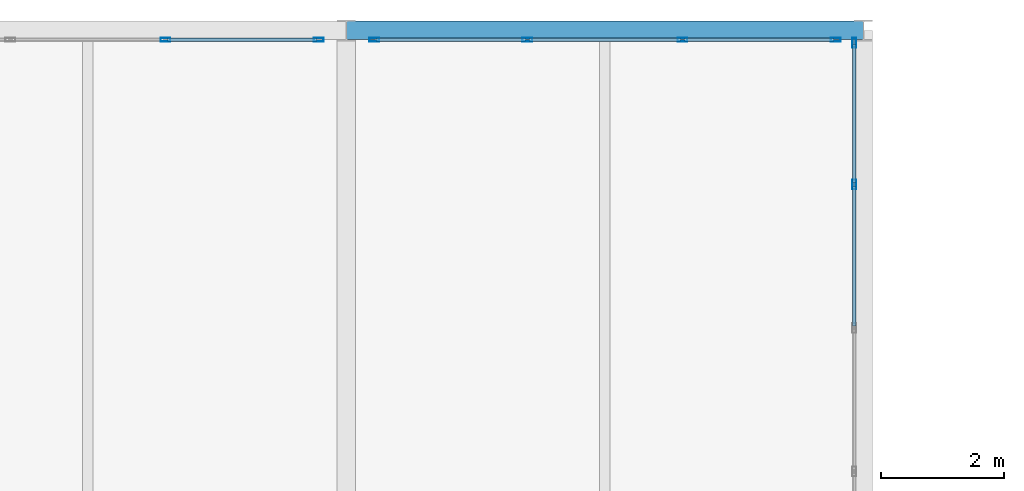
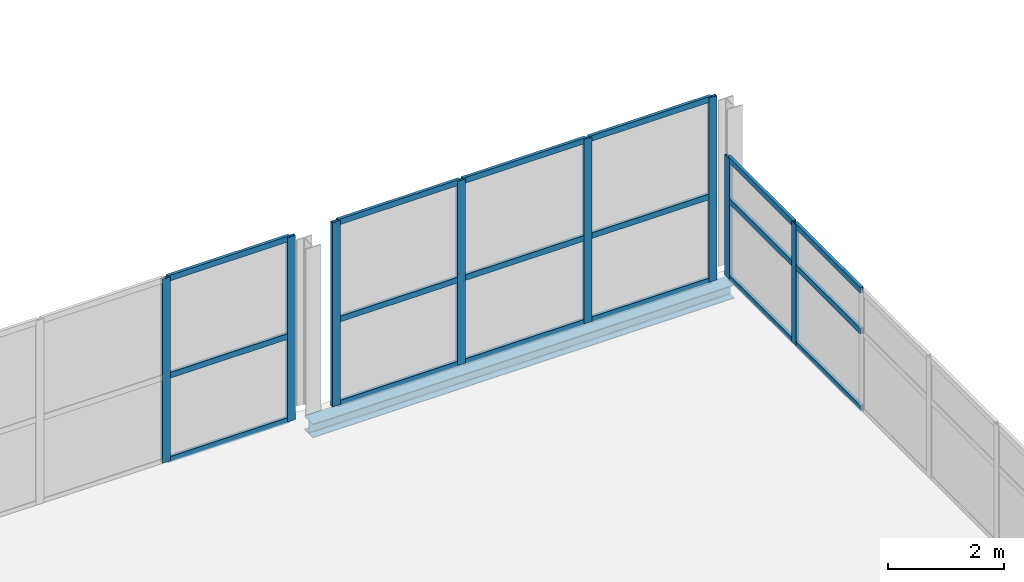
# One storey, part 68 of 103: 26 members, 1 beam, 3 elements without a shape of their own.
"""IFC4 building model written with IfcOpenShell, lengths in metres."""

from ifc_helpers import new_model, si_unit, direction, frame, origin, origin_2d, place, context, subcontext, project, spatial, hollow_rectangle, i_section, extrude, material, material_profile, profile_set, type_object, element, aggregate, save


model = new_model("IFC4")

# Units and contexts
model_context = context("Model", 3, precision=1e-05, world=origin(), true_north=direction((0.0, 1.0)))
body_context = subcontext(model_context, "Body", "Model", "MODEL_VIEW")
ifc_project = project(units=[si_unit("LENGTHUNIT", "METRE"), si_unit("AREAUNIT", "SQUARE_METRE"), si_unit("VOLUMEUNIT", "CUBIC_METRE"), si_unit("PLANEANGLEUNIT", "RADIAN"), si_unit("MASSUNIT", "GRAM", prefix="KILO")], contexts=[model_context])

# Site, building, storey
site_placement = place(None, origin())
site = spatial("IfcSite", under=ifc_project, at=site_placement, CompositionType="ELEMENT")
building_placement = place(site_placement, origin())
building = spatial("IfcBuilding", under=site, at=building_placement, Name="Veltarok Museum of Natural Sciences", CompositionType="ELEMENT")
storey_placement = place(building_placement, frame((0.0, 0.0, 21.89990234375)))
storey = spatial("IfcBuildingStorey", under=building, at=storey_placement, Name="L04", CompositionType="ELEMENT", Elevation=21.89990234375)

# Curtain wall, members
ifc_material_1 = material(Name="Low-iron triple insulated glass", Category="glass")
curtain_wall_type_1 = type_object("IfcCurtainWallType", Name="Curtain Wall System CW-V2N-L04-10-756x388 (V2 North Hall L04 10-11 756x388cm)", PredefinedType="NOTDEFINED", material=ifc_material_1)
curtain_wall_1_placement = place(storey_placement, origin())
curtain_wall_1 = element("IfcCurtainWall", 1, at=curtain_wall_1_placement, inside=storey, type_object=curtain_wall_type_1, Name="Curtain Wall CW-V2N-L04-10-756x388 CW-0065", PredefinedType="NOTDEFINED")
ifc_material_2 = material(Name="Thermally broken anodised aluminium", Category="aluminium")
ifc_material_profile_1 = material_profile(ifc_material_2, hollow_rectangle(XDim=0.06005859375, YDim=0.1201171875, WallThickness=0.0048828125, at=origin_2d()), Name="CW TRANSOM 60x120x5")
ifc_profile_set_1 = profile_set([ifc_material_profile_1], Name="Thermally broken anodised aluminium")
member_type_1 = type_object("IfcMemberType", Name="Curtain Wall Horizontal Transom 60x120x5", PredefinedType="USERDEFINED", material=ifc_profile_set_1)
member_1_placement = place(storey_placement, frame((89.919921875, 71.85009765625, 0.030029296875), z_axis=(-1.0, 0.0, 0.0), x_axis=(0.0, -1.0, 0.0)))
member_1 = element("IfcMember", 2, at=member_1_placement, type_object=member_type_1, Name="CW-V2N-L04-10-756x388 transom 1.1", ObjectType="TRANSOM", PredefinedType="USERDEFINED", context=body_context, shape_type="SweptSolid", body=[
    extrude(hollow_rectangle(XDim=0.06005859375, YDim=0.1201171875, WallThickness=0.0048828125, at=origin_2d()), origin(), (0.0, 0.0, 1.0), 2.429931640625),
])
member_2_placement = place(storey_placement, frame((89.919921875, 71.85009765625, 1.800048828125), z_axis=(-1.0, 0.0, 0.0), x_axis=(0.0, -1.0, 0.0)))
member_2 = element("IfcMember", 3, at=member_2_placement, type_object=member_type_1, Name="CW-V2N-L04-10-756x388 transom 1.2", ObjectType="TRANSOM", PredefinedType="USERDEFINED", context=body_context, shape_type="SweptSolid", body=[
    extrude(hollow_rectangle(XDim=0.06005859375, YDim=0.1201171875, WallThickness=0.0048828125, at=origin_2d()), origin(), (0.0, 0.0, 1.0), 2.429931640625),
])
member_3_placement = place(storey_placement, frame((89.919921875, 71.85009765625, 3.85009765625), z_axis=(-1.0, 0.0, 0.0), x_axis=(0.0, -1.0, 0.0)))
member_3 = element("IfcMember", 4, at=member_3_placement, type_object=member_type_1, Name="CW-V2N-L04-10-756x388 transom 1.3", ObjectType="TRANSOM", PredefinedType="USERDEFINED", context=body_context, shape_type="SweptSolid", body=[
    extrude(hollow_rectangle(XDim=0.06005859375, YDim=0.1201171875, WallThickness=0.0048828125, at=origin_2d()), origin(), (0.0, 0.0, 1.0), 2.429931640625),
])

curtain_wall_type_2 = type_object("IfcCurtainWallType", Name="Curtain Wall System CW-V2N-L04-11-756x388 (V2 North Hall L04 11-12 756x388cm)", PredefinedType="NOTDEFINED", material=ifc_material_1)
curtain_wall_2_placement = place(storey_placement, origin())
curtain_wall_2 = element("IfcCurtainWall", 5, at=curtain_wall_2_placement, inside=storey, type_object=curtain_wall_type_2, Name="Curtain Wall CW-V2N-L04-11-756x388 CW-0066", PredefinedType="NOTDEFINED")
member_4_placement = place(storey_placement, frame((98.320068359375, 71.85009765625, 0.030029296875), z_axis=(-1.0, 0.0, 0.0), x_axis=(0.0, -1.0, 0.0)))
member_4 = element("IfcMember", 6, at=member_4_placement, type_object=member_type_1, Name="CW-V2N-L04-11-756x388 transom 1.1", ObjectType="TRANSOM", PredefinedType="USERDEFINED", context=body_context, shape_type="SweptSolid", body=[
    extrude(hollow_rectangle(XDim=0.06005859375, YDim=0.1201171875, WallThickness=0.0048828125, at=origin_2d()), origin(), (0.0, 0.0, 1.0), 2.43017578125),
])
member_5_placement = place(storey_placement, frame((98.320068359375, 71.85009765625, 1.800048828125), z_axis=(-1.0, 0.0, 0.0), x_axis=(0.0, -1.0, 0.0)))
member_5 = element("IfcMember", 7, at=member_5_placement, type_object=member_type_1, Name="CW-V2N-L04-11-756x388 transom 1.2", ObjectType="TRANSOM", PredefinedType="USERDEFINED", context=body_context, shape_type="SweptSolid", body=[
    extrude(hollow_rectangle(XDim=0.06005859375, YDim=0.1201171875, WallThickness=0.0048828125, at=origin_2d()), origin(), (0.0, 0.0, 1.0), 2.43017578125),
])
member_6_placement = place(storey_placement, frame((98.320068359375, 71.85009765625, 3.85009765625), z_axis=(-1.0, 0.0, 0.0), x_axis=(0.0, -1.0, 0.0)))
member_6 = element("IfcMember", 8, at=member_6_placement, type_object=member_type_1, Name="CW-V2N-L04-11-756x388 transom 1.3", ObjectType="TRANSOM", PredefinedType="USERDEFINED", context=body_context, shape_type="SweptSolid", body=[
    extrude(hollow_rectangle(XDim=0.06005859375, YDim=0.1201171875, WallThickness=0.0048828125, at=origin_2d()), origin(), (0.0, 0.0, 1.0), 2.43017578125),
])
member_7_placement = place(storey_placement, frame((95.830078125, 71.85009765625, 0.030029296875), z_axis=(-1.0, 0.0, 0.0), x_axis=(0.0, -1.0, 0.0)))
member_7 = element("IfcMember", 9, at=member_7_placement, type_object=member_type_1, Name="CW-V2N-L04-11-756x388 transom 2.1", ObjectType="TRANSOM", PredefinedType="USERDEFINED", context=body_context, shape_type="SweptSolid", body=[
    extrude(hollow_rectangle(XDim=0.06005859375, YDim=0.1201171875, WallThickness=0.0048828125, at=origin_2d()), origin(), (0.0, 0.0, 1.0), 2.4599609375),
])
member_8_placement = place(storey_placement, frame((95.830078125, 71.85009765625, 1.800048828125), z_axis=(-1.0, 0.0, 0.0), x_axis=(0.0, -1.0, 0.0)))
member_8 = element("IfcMember", 10, at=member_8_placement, type_object=member_type_1, Name="CW-V2N-L04-11-756x388 transom 2.2", ObjectType="TRANSOM", PredefinedType="USERDEFINED", context=body_context, shape_type="SweptSolid", body=[
    extrude(hollow_rectangle(XDim=0.06005859375, YDim=0.1201171875, WallThickness=0.0048828125, at=origin_2d()), origin(), (0.0, 0.0, 1.0), 2.4599609375),
])
member_9_placement = place(storey_placement, frame((95.830078125, 71.85009765625, 3.85009765625), z_axis=(-1.0, 0.0, 0.0), x_axis=(0.0, -1.0, 0.0)))
member_9 = element("IfcMember", 11, at=member_9_placement, type_object=member_type_1, Name="CW-V2N-L04-11-756x388 transom 2.3", ObjectType="TRANSOM", PredefinedType="USERDEFINED", context=body_context, shape_type="SweptSolid", body=[
    extrude(hollow_rectangle(XDim=0.06005859375, YDim=0.1201171875, WallThickness=0.0048828125, at=origin_2d()), origin(), (0.0, 0.0, 1.0), 2.4599609375),
])
member_10_placement = place(storey_placement, frame((93.31005859375, 71.85009765625, 0.030029296875), z_axis=(-1.0, 0.0, 0.0), x_axis=(0.0, -1.0, 0.0)))
member_10 = element("IfcMember", 12, at=member_10_placement, type_object=member_type_1, Name="CW-V2N-L04-11-756x388 transom 3.1", ObjectType="TRANSOM", PredefinedType="USERDEFINED", context=body_context, shape_type="SweptSolid", body=[
    extrude(hollow_rectangle(XDim=0.06005859375, YDim=0.1201171875, WallThickness=0.0048828125, at=origin_2d()), origin(), (0.0, 0.0, 1.0), 2.43017578125),
])
member_11_placement = place(storey_placement, frame((93.31005859375, 71.85009765625, 1.800048828125), z_axis=(-1.0, 0.0, 0.0), x_axis=(0.0, -1.0, 0.0)))
member_11 = element("IfcMember", 13, at=member_11_placement, type_object=member_type_1, Name="CW-V2N-L04-11-756x388 transom 3.2", ObjectType="TRANSOM", PredefinedType="USERDEFINED", context=body_context, shape_type="SweptSolid", body=[
    extrude(hollow_rectangle(XDim=0.06005859375, YDim=0.1201171875, WallThickness=0.0048828125, at=origin_2d()), origin(), (0.0, 0.0, 1.0), 2.43017578125),
])
member_12_placement = place(storey_placement, frame((93.31005859375, 71.85009765625, 3.85009765625), z_axis=(-1.0, 0.0, 0.0), x_axis=(0.0, -1.0, 0.0)))
member_12 = element("IfcMember", 14, at=member_12_placement, type_object=member_type_1, Name="CW-V2N-L04-11-756x388 transom 3.3", ObjectType="TRANSOM", PredefinedType="USERDEFINED", context=body_context, shape_type="SweptSolid", body=[
    extrude(hollow_rectangle(XDim=0.06005859375, YDim=0.1201171875, WallThickness=0.0048828125, at=origin_2d()), origin(), (0.0, 0.0, 1.0), 2.43017578125),
])

curtain_wall_type_3 = type_object("IfcCurtainWallType", Name="Curtain Wall System CW-V2E-L04-2-1166x254 (CW-V2E L04 1166x254cm)", PredefinedType="NOTDEFINED", material=ifc_material_1)
curtain_wall_3_placement = place(storey_placement, origin())
curtain_wall_3 = element("IfcCurtainWall", 15, at=curtain_wall_3_placement, inside=storey, type_object=curtain_wall_type_3, Name="Curtain Wall CW-V2E-L04-2-1166x254 CW-0138", PredefinedType="NOTDEFINED")
member_13_placement = place(storey_placement, frame((98.64990234375, 67.196044921875, 0.028076171875), z_axis=(0.0, 1.0, 0.0), x_axis=(-1.0, 0.0, 0.0)))
member_13 = element("IfcMember", 16, at=member_13_placement, type_object=member_type_1, Name="CW-V2E-L04-2-1166x254 transom 4.1", ObjectType="TRANSOM", PredefinedType="USERDEFINED", context=body_context, shape_type="SweptSolid", body=[
    extrude(hollow_rectangle(XDim=0.06005859375, YDim=0.1201171875, WallThickness=0.0048828125, at=origin_2d()), origin(), (0.0, 0.0, 1.0), 2.27197265625),
])
member_14_placement = place(storey_placement, frame((98.64990234375, 67.196044921875, 1.648193359375), z_axis=(0.0, 1.0, 0.0), x_axis=(-1.0, 0.0, 0.0)))
member_14 = element("IfcMember", 17, at=member_14_placement, type_object=member_type_1, Name="CW-V2E-L04-2-1166x254 transom 4.2", ObjectType="TRANSOM", PredefinedType="USERDEFINED", context=body_context, shape_type="SweptSolid", body=[
    extrude(hollow_rectangle(XDim=0.06005859375, YDim=0.1201171875, WallThickness=0.0048828125, at=origin_2d()), origin(), (0.0, 0.0, 1.0), 2.27197265625),
])
member_15_placement = place(storey_placement, frame((98.64990234375, 67.196044921875, 2.510009765625), z_axis=(0.0, 1.0, 0.0), x_axis=(-1.0, 0.0, 0.0)))
member_15 = element("IfcMember", 18, at=member_15_placement, type_object=member_type_1, Name="CW-V2E-L04-2-1166x254 transom 4.3", ObjectType="TRANSOM", PredefinedType="USERDEFINED", context=body_context, shape_type="SweptSolid", body=[
    extrude(hollow_rectangle(XDim=0.06005859375, YDim=0.1201171875, WallThickness=0.0048828125, at=origin_2d()), origin(), (0.0, 0.0, 1.0), 2.27197265625),
])
member_16_placement = place(storey_placement, frame((98.64990234375, 69.528076171875, 0.028076171875), z_axis=(0.0, 1.0, 0.0), x_axis=(-1.0, 0.0, 0.0)))
member_16 = element("IfcMember", 19, at=member_16_placement, type_object=member_type_1, Name="CW-V2E-L04-2-1166x254 transom 5.1", ObjectType="TRANSOM", PredefinedType="USERDEFINED", context=body_context, shape_type="SweptSolid", body=[
    extrude(hollow_rectangle(XDim=0.06005859375, YDim=0.1201171875, WallThickness=0.0048828125, at=origin_2d()), origin(), (0.0, 0.0, 1.0), 2.241943359375),
])
member_17_placement = place(storey_placement, frame((98.64990234375, 69.528076171875, 1.648193359375), z_axis=(0.0, 1.0, 0.0), x_axis=(-1.0, 0.0, 0.0)))
member_17 = element("IfcMember", 20, at=member_17_placement, type_object=member_type_1, Name="CW-V2E-L04-2-1166x254 transom 5.2", ObjectType="TRANSOM", PredefinedType="USERDEFINED", context=body_context, shape_type="SweptSolid", body=[
    extrude(hollow_rectangle(XDim=0.06005859375, YDim=0.1201171875, WallThickness=0.0048828125, at=origin_2d()), origin(), (0.0, 0.0, 1.0), 2.241943359375),
])
member_18_placement = place(storey_placement, frame((98.64990234375, 69.528076171875, 2.510009765625), z_axis=(0.0, 1.0, 0.0), x_axis=(-1.0, 0.0, 0.0)))
member_18 = element("IfcMember", 21, at=member_18_placement, type_object=member_type_1, Name="CW-V2E-L04-2-1166x254 transom 5.3", ObjectType="TRANSOM", PredefinedType="USERDEFINED", context=body_context, shape_type="SweptSolid", body=[
    extrude(hollow_rectangle(XDim=0.06005859375, YDim=0.1201171875, WallThickness=0.0048828125, at=origin_2d()), origin(), (0.0, 0.0, 1.0), 2.241943359375),
])

# Member
ifc_material_profile_2 = material_profile(ifc_material_2, hollow_rectangle(XDim=0.06005859375, YDim=0.159912109375, WallThickness=0.0048828125, at=origin_2d()), Name="CW MULLION 60x160x5")
ifc_profile_set_2 = profile_set([ifc_material_profile_2], Name="Thermally broken anodised aluminium")
member_type_2 = type_object("IfcMemberType", Name="Curtain Wall Vertical Mullion 60x160x5", PredefinedType="MULLION", material=ifc_profile_set_2)
member_19_placement = place(storey_placement, frame((89.949951171875, 71.85009765625, 0.0), z_axis=(0.0, 0.0, 1.0), x_axis=(0.0, -1.0, 0.0)))
member_19 = element("IfcMember", 22, at=member_19_placement, type_object=member_type_2, Name="CW-V2N-L04-10-756x388 mullion 1", PredefinedType="MULLION", context=body_context, shape_type="SweptSolid", body=[
    extrude(hollow_rectangle(XDim=0.06005859375, YDim=0.159912109375, WallThickness=0.0048828125, at=origin_2d()), origin(), (0.0, 0.0, 1.0), 3.880126953125),
])

member_20_placement = place(storey_placement, frame((87.4599609375, 71.85009765625, 0.0), z_axis=(0.0, 0.0, 1.0), x_axis=(0.0, -1.0, 0.0)))
member_20 = element("IfcMember", 23, at=member_20_placement, type_object=member_type_2, Name="CW-V2N-L04-10-756x388 mullion 2", PredefinedType="MULLION", context=body_context, shape_type="SweptSolid", body=[
    extrude(hollow_rectangle(XDim=0.06005859375, YDim=0.159912109375, WallThickness=0.0048828125, at=origin_2d()), origin(), (0.0, 0.0, 1.0), 3.880126953125),
])

aggregate(curtain_wall_1, [member_19, member_20, member_1, member_2, member_3])

member_21_placement = place(storey_placement, frame((98.35009765625, 71.85009765625, 0.0), z_axis=(0.0, 0.0, 1.0), x_axis=(0.0, -1.0, 0.0)))
member_21 = element("IfcMember", 24, at=member_21_placement, type_object=member_type_2, Name="CW-V2N-L04-11-756x388 mullion 1", PredefinedType="MULLION", context=body_context, shape_type="SweptSolid", body=[
    extrude(hollow_rectangle(XDim=0.06005859375, YDim=0.159912109375, WallThickness=0.0048828125, at=origin_2d()), origin(), (0.0, 0.0, 1.0), 3.880126953125),
])

member_22_placement = place(storey_placement, frame((95.860107421875, 71.85009765625, 0.0), z_axis=(0.0, 0.0, 1.0), x_axis=(0.0, -1.0, 0.0)))
member_22 = element("IfcMember", 25, at=member_22_placement, type_object=member_type_2, Name="CW-V2N-L04-11-756x388 mullion 2", PredefinedType="MULLION", context=body_context, shape_type="SweptSolid", body=[
    extrude(hollow_rectangle(XDim=0.06005859375, YDim=0.159912109375, WallThickness=0.0048828125, at=origin_2d()), origin(), (0.0, 0.0, 1.0), 3.880126953125),
])

member_23_placement = place(storey_placement, frame((93.340087890625, 71.85009765625, 0.0), z_axis=(0.0, 0.0, 1.0), x_axis=(0.0, -1.0, 0.0)))
member_23 = element("IfcMember", 26, at=member_23_placement, type_object=member_type_2, Name="CW-V2N-L04-11-756x388 mullion 3", PredefinedType="MULLION", context=body_context, shape_type="SweptSolid", body=[
    extrude(hollow_rectangle(XDim=0.06005859375, YDim=0.159912109375, WallThickness=0.0048828125, at=origin_2d()), origin(), (0.0, 0.0, 1.0), 3.880126953125),
])

member_24_placement = place(storey_placement, frame((90.85009765625, 71.85009765625, 0.0), z_axis=(0.0, 0.0, 1.0), x_axis=(0.0, -1.0, 0.0)))
member_24 = element("IfcMember", 27, at=member_24_placement, type_object=member_type_2, Name="CW-V2N-L04-11-756x388 mullion 4", PredefinedType="MULLION", context=body_context, shape_type="SweptSolid", body=[
    extrude(hollow_rectangle(XDim=0.06005859375, YDim=0.159912109375, WallThickness=0.0048828125, at=origin_2d()), origin(), (0.0, 0.0, 1.0), 3.880126953125),
])

aggregate(curtain_wall_2, [member_21, member_22, member_23, member_24, member_4, member_5, member_6, member_7, member_8, member_9, member_10, member_11, member_12])

member_25_placement = place(storey_placement, frame((98.64990234375, 69.498046875, -0.001953125), z_axis=(0.0, 0.0, 1.0), x_axis=(-1.0, 0.0, 0.0)))
member_25 = element("IfcMember", 28, at=member_25_placement, type_object=member_type_2, Name="CW-V2E-L04-2-1166x254 mullion 5", PredefinedType="MULLION", context=body_context, shape_type="SweptSolid", body=[
    extrude(hollow_rectangle(XDim=0.06005859375, YDim=0.159912109375, WallThickness=0.0048828125, at=origin_2d()), origin(), (0.0, 0.0, 1.0), 2.5419921875),
])

member_26_placement = place(storey_placement, frame((98.64990234375, 71.800048828125, -0.001953125), z_axis=(0.0, 0.0, 1.0), x_axis=(-1.0, 0.0, 0.0)))
member_26 = element("IfcMember", 29, at=member_26_placement, type_object=member_type_2, Name="CW-V2E-L04-2-1166x254 mullion 6", PredefinedType="MULLION", context=body_context, shape_type="SweptSolid", body=[
    extrude(hollow_rectangle(XDim=0.06005859375, YDim=0.159912109375, WallThickness=0.0048828125, at=origin_2d()), origin(), (0.0, 0.0, 1.0), 2.5419921875),
])

aggregate(curtain_wall_3, [member_25, member_26, member_13, member_14, member_15, member_16, member_17, member_18])

# Beam
ifc_material_3 = material(Name="Steel S355J2", Category="steel")
ifc_material_profile_3 = material_profile(ifc_material_3, i_section(OverallWidth=0.300048828125, OverallDepth=0.2900390625, WebThickness=0.008544921875, FlangeThickness=0.013916015625, FilletRadius=0.027099609375, at=origin_2d()), Name="HEA 300")
ifc_profile_set_3 = profile_set([ifc_material_profile_3], Name="Steel S355J2")
beam_type = type_object("IfcBeamType", Name="Glazed Hall Edge Spandrel HEA 300", PredefinedType="SPANDREL", material=ifc_profile_set_3)
beam_placement = place(storey_placement, frame((90.39990234375, 72.0, -0.39501953125), z_axis=(1.0, 0.0, 0.0), x_axis=(0.0, 1.0, 0.0)))
element("IfcBeam", 30, at=beam_placement, inside=storey, type_object=beam_type, Name="Beam BM-SP03 L04 11-12/H", PredefinedType="SPANDREL", context=body_context, shape_type="SweptSolid", body=[
    extrude(i_section(OverallWidth=0.300048828125, OverallDepth=0.2900390625, WebThickness=0.008544921875, FlangeThickness=0.013916015625, FilletRadius=0.027099609375, at=origin_2d()), origin(), (0.0, 0.0, 1.0), 8.400146484375),
])

save(model, "model.ifc")
